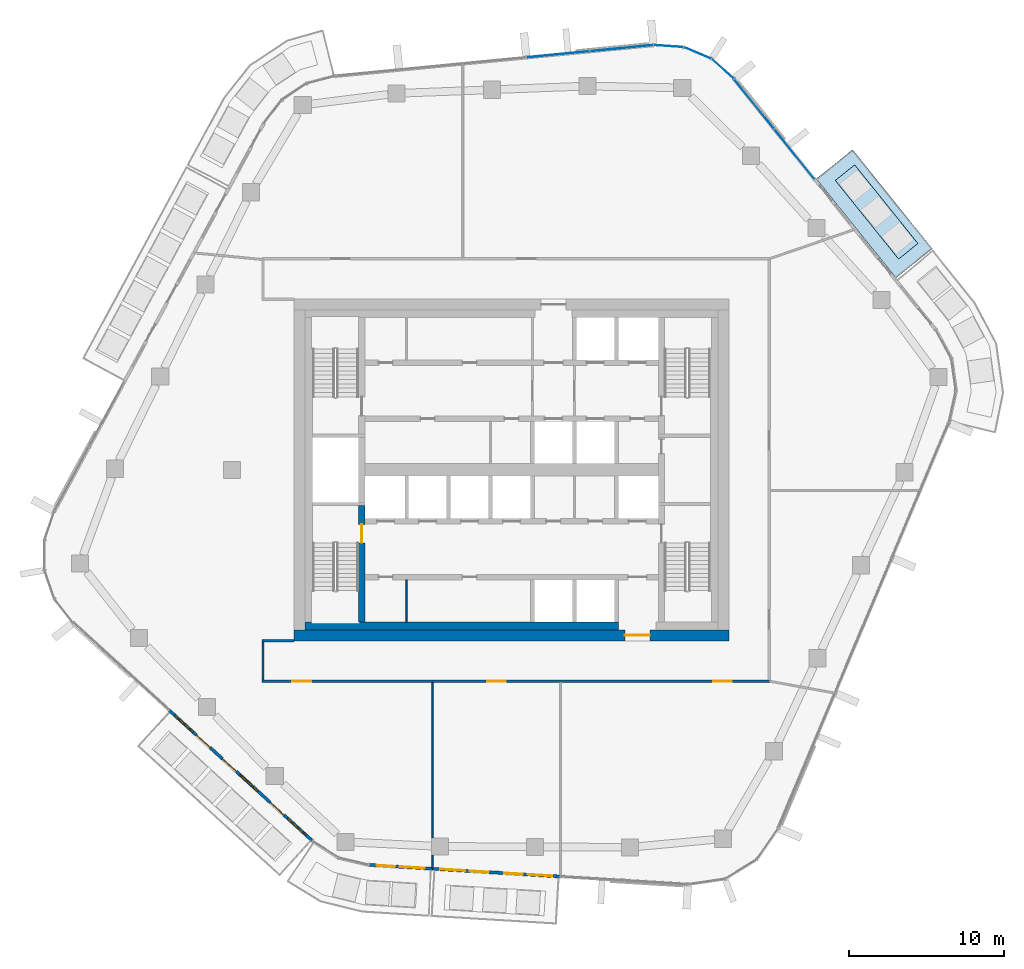
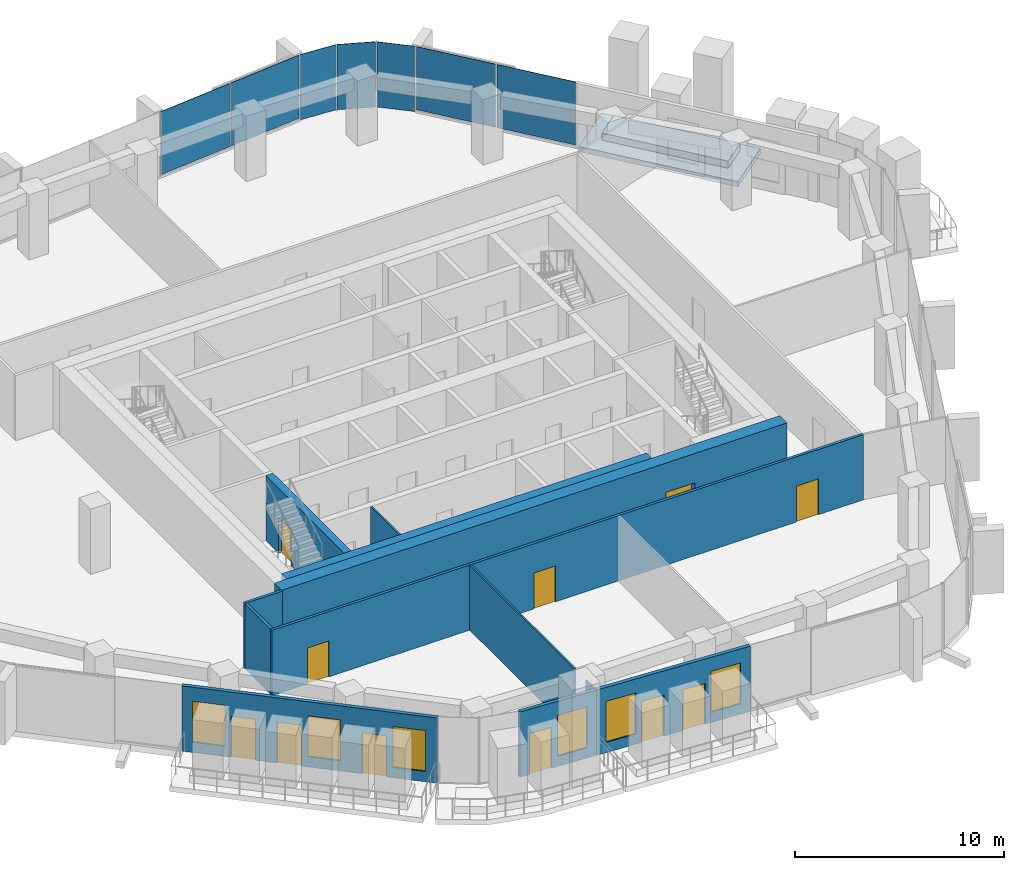
# One storey, part 11 of 20: 12 walls, 11 doors, 7 plates, 6 windows, 2 slabs, 17 openings, 3 elements without a shape of their own.
"""IFC4 building model written with IfcOpenShell, lengths in metres."""

import ifcopenshell
import ifcopenshell.guid

model = None  # the IFC model being written
_history = None  # IfcOwnerHistory: only IFC2X3 demands one
_inside = {}  # id of a spatial element -> (the spatial element, [elements in it])
_under = {}  # id of a project, library or spatial element -> (it, [spatial elements below it])
_declared = {}  # id of a project -> (the project, [libraries it declares])
_typed = {}  # id of a type object -> (the type object, [elements of that type])
_made_of = {}  # id of a material, layer set ... -> (it, [elements and type objects made of it])


def new_model(schema):
    """Start an empty IFC model of exactly this schema.

    Asked for "IFC4X3", IfcOpenShell would pick the latest addendum, in which some entities
    have other attributes; the version numbers below select the first issue.
    IFC2X3 requires an IfcOwnerHistory on every rooted entity: one is made here for all.
    """
    global model, _history
    if schema == "IFC4X3":
        model = ifcopenshell.file(schema_version=(4, 3, 0, 0))
    else:
        model = ifcopenshell.file(schema=schema)
    _inside.clear()
    _under.clear()
    _declared.clear()
    _typed.clear()
    _made_of.clear()
    _history = None
    if model.schema == "IFC2X3":
        org = make("IfcOrganization", Name="unknown")
        user = make(
            "IfcPersonAndOrganization",
            ThePerson=make("IfcPerson", FamilyName="unknown"),
            TheOrganization=org,
        )
        app = make(
            "IfcApplication",
            ApplicationDeveloper=org,
            Version="unknown",
            ApplicationFullName="unknown",
            ApplicationIdentifier="unknown",
        )
        _history = make(
            "IfcOwnerHistory",
            OwningUser=user,
            OwningApplication=app,
            ChangeAction="ADDED",
            CreationDate=0,
        )
    return model


def make(cls, **values):
    """One entity of the class cls with the attributes given. An attribute that is None is left unset."""
    return model.create_entity(
        cls, **{name: value for name, value in values.items() if value is not None}
    )


def rooted(cls, **values):
    """An entity with a GlobalId (a new one), such as an element, a storey or a relation."""
    return make(cls, GlobalId=ifcopenshell.guid.new(), OwnerHistory=_history, **values)


def si_unit(unit_type, name, prefix=None):
    """IfcSIUnit, for example si_unit("LENGTHUNIT", "METRE", prefix="MILLI")."""
    return make("IfcSIUnit", UnitType=unit_type, Prefix=prefix, Name=name)


def assignment(units):
    """IfcUnitAssignment: the units of a project."""
    return None if units is None else make("IfcUnitAssignment", Units=units)


def point(xyz):
    """IfcCartesianPoint."""
    return None if xyz is None else make("IfcCartesianPoint", Coordinates=xyz)


def direction(xyz):
    """IfcDirection."""
    return None if xyz is None else make("IfcDirection", DirectionRatios=xyz)


def frame(location, z_axis=None, x_axis=None):
    """IfcAxis2Placement3D, a coordinate frame: its origin and axes. An axis left out is left unset."""
    return make(
        "IfcAxis2Placement3D",
        Location=point(location),
        Axis=direction(z_axis),
        RefDirection=direction(x_axis),
    )


def frame_2d(location, x_axis=None):
    """IfcAxis2Placement2D, a coordinate frame in the plane: its origin and x axis."""
    return make(
        "IfcAxis2Placement2D", Location=point(location), RefDirection=direction(x_axis)
    )


def origin():
    """The frame at (0, 0, 0) with its axes left unset."""
    return frame((0.0, 0.0, 0.0))


def origin_2d():
    """The frame at (0, 0) in the plane with its x axis left unset."""
    return frame_2d((0.0, 0.0))


def place(relative_to, where):
    """IfcLocalPlacement: puts the frame where relative to a parent placement (None: the world)."""
    return make(
        "IfcLocalPlacement", PlacementRelTo=relative_to, RelativePlacement=where
    )


def context(
    kind, dimensions, precision=None, world=None, true_north=None, identifier=None
):
    """IfcGeometricRepresentationContext, for example the 3D "Model" context."""
    return make(
        "IfcGeometricRepresentationContext",
        ContextIdentifier=identifier,
        ContextType=kind,
        CoordinateSpaceDimension=dimensions,
        Precision=precision,
        WorldCoordinateSystem=world,
        TrueNorth=true_north,
    )


def subcontext(parent, identifier, kind, view, scale=None):
    """IfcGeometricRepresentationSubContext, for example "Body" below "Model"."""
    return make(
        "IfcGeometricRepresentationSubContext",
        ContextIdentifier=identifier,
        ContextType=kind,
        ParentContext=parent,
        TargetScale=scale,
        TargetView=view,
    )


def project(units=None, contexts=None):
    """IfcProject with its units and contexts."""
    return rooted(
        "IfcProject",
        Name="project",
        RepresentationContexts=contexts,
        UnitsInContext=assignment(units),
    )


def spatial(cls, under=None, at=None, **own):
    """A site, building, storey or space (cls), placed at a placement, below another one or the project."""
    s = rooted(cls, ObjectPlacement=at, **own)
    if under is not None:
        _under.setdefault(under.id(), (under, []))[1].append(s)
    return s


def polyline(points):
    """IfcPolyline through the points."""
    return make("IfcPolyline", Points=[point(p) for p in points])


def profile(cls, at=None, kind="AREA", **sizes):
    """A parametric profile (cls). Its sizes go by their IFC names, for example OverallWidth=200.0."""
    return make(cls, ProfileType=kind, Position=at, **sizes)


def rectangle(**sizes):
    """IfcRectangleProfileDef."""
    return profile("IfcRectangleProfileDef", **sizes)


def outline(outer, holes=None, kind="AREA"):
    """IfcArbitraryClosedProfileDef: a profile drawn as a closed curve; with holes, ...WithVoids."""
    if holes is None:
        return make("IfcArbitraryClosedProfileDef", ProfileType=kind, OuterCurve=outer)
    return make(
        "IfcArbitraryProfileDefWithVoids",
        ProfileType=kind,
        OuterCurve=outer,
        InnerCurves=holes,
    )


def extrude(swept, where, along, depth):
    """IfcExtrudedAreaSolid: the profile swept, set in the frame where, extruded along a direction by depth."""
    return make(
        "IfcExtrudedAreaSolid",
        SweptArea=swept,
        Position=where,
        ExtrudedDirection=direction(along),
        Depth=depth,
    )


def shape(context_of_items, identifier, shape_type, items):
    """IfcShapeRepresentation: the items that make up one representation, for example the "Body"."""
    return make(
        "IfcShapeRepresentation",
        ContextOfItems=context_of_items,
        RepresentationIdentifier=identifier,
        RepresentationType=shape_type,
        Items=items,
    )


def material(Name=None, Category=None):
    """IfcMaterial."""
    return make("IfcMaterial", Name=Name, Category=Category)


def layer(
    of_material, thickness, ventilated=None, Name=None, Category=None, Priority=None
):
    """IfcMaterialLayer: one layer of a wall or slab, of a material (None: an air gap)."""
    return make(
        "IfcMaterialLayer",
        Material=of_material,
        LayerThickness=thickness,
        IsVentilated=ventilated,
        Name=Name,
        Category=Category,
        Priority=Priority,
    )


def layer_set(layers, Name=None):
    """IfcMaterialLayerSet."""
    return make("IfcMaterialLayerSet", MaterialLayers=layers, LayerSetName=Name)


def made_of(thing, what):
    """Note that an element or type object is made of a material, layer set ...; save() writes the relation."""
    if what is not None:
        _made_of.setdefault(what.id(), (what, []))[1].append(thing)
    return thing


def type_object(cls, material=None, **own):
    """A type object (cls), such as IfcWallType, which elements share."""
    return made_of(rooted(cls, **own), material)


def element(
    cls,
    number,
    at=None,
    inside=None,
    cuts=None,
    type_object=None,
    material=None,
    context=None,
    identifier="Body",
    shape_type=None,
    held_by="IfcProductDefinitionShape",
    body=None,
    shapes=None,
    **own,
):
    """One element of the class cls, such as IfcWall. Its Tag is "e" and its number.

    at: its placement. inside: the storey or other place that contains it. cuts: it is an
    opening in that element (IfcRelVoidsElement). A single representation is given by context,
    identifier, shape_type and body (its items); several are given by shapes. held_by: the class
    of the entity that holds the representations. save() writes the other relations.
    """
    e = rooted(cls, Tag="e%d" % number, ObjectPlacement=at, **own)
    if body is not None:
        shapes = [shape(context, identifier, shape_type, body)]
    if shapes is not None:
        e.Representation = make(held_by, Representations=shapes)
    if inside is not None:
        _inside.setdefault(inside.id(), (inside, []))[1].append(e)
    if cuts is not None:
        rooted(
            "IfcRelVoidsElement", RelatingBuildingElement=cuts, RelatedOpeningElement=e
        )
    if type_object is not None:
        _typed.setdefault(type_object.id(), (type_object, []))[1].append(e)
    return made_of(e, material)


def fill(opening, filler):
    """IfcRelFillsElement: the door or window that sits in an opening."""
    return rooted(
        "IfcRelFillsElement",
        RelatingOpeningElement=opening,
        RelatedBuildingElement=filler,
    )


def aggregate(whole, parts):
    """IfcRelAggregates: a whole, such as a stair, and the parts it consists of."""
    return rooted("IfcRelAggregates", RelatingObject=whole, RelatedObjects=parts)


def save(model, path):
    """Write the relations noted so far, then the file.

    IfcRelAggregates (storeys below a building ...), IfcRelContainedInSpatialStructure (elements
    in a storey), IfcRelDefinesByType, IfcRelAssociatesMaterial and IfcRelDeclares: one each for
    every whole, place, type object, material and project.
    """
    for whole, parts in _under.values():
        aggregate(whole, parts)
    for where, things in _inside.values():
        rooted(
            "IfcRelContainedInSpatialStructure",
            RelatedElements=things,
            RelatingStructure=where,
        )
    for kind, things in _typed.values():
        rooted("IfcRelDefinesByType", RelatedObjects=things, RelatingType=kind)
    for what, things in _made_of.values():
        rooted("IfcRelAssociatesMaterial", RelatedObjects=things, RelatingMaterial=what)
    for by, libraries in _declared.values():
        rooted("IfcRelDeclares", RelatingContext=by, RelatedDefinitions=libraries)
    model.write(path)


model = new_model("IFC4")

# Units and contexts
model_context = context("Model", 3, precision=1e-05, world=origin(), true_north=direction((0.0, 1.0)))
body_context = subcontext(model_context, "Body", "Model", "MODEL_VIEW")
ifc_project = project(units=[si_unit("LENGTHUNIT", "METRE"), si_unit("AREAUNIT", "SQUARE_METRE"), si_unit("VOLUMEUNIT", "CUBIC_METRE"), si_unit("PLANEANGLEUNIT", "RADIAN"), si_unit("MASSUNIT", "GRAM", prefix="KILO")], contexts=[model_context])

# Site, building, storey
site_placement = place(None, origin())
site = spatial("IfcSite", under=ifc_project, at=site_placement, CompositionType="ELEMENT")
building_placement = place(site_placement, origin())
building = spatial("IfcBuilding", under=site, at=building_placement, Name="Dongbaek Canopy Tower", CompositionType="ELEMENT")
storey_placement = place(building_placement, frame((0.0, 0.0, 262.199951171875)))
storey = spatial("IfcBuildingStorey", under=building, at=storey_placement, Name="L55", CompositionType="ELEMENT", Elevation=262.199951171875)

# Slab
ifc_material_1 = material(Name="Concrete C40/50", Category="concrete")
ifc_layer_1 = layer(ifc_material_1, 0.300048828125)
ifc_layer_set_1 = layer_set([ifc_layer_1], Name="Balcony slab 300")
slab_type_1 = type_object("IfcSlabType", Name="Balcony slab 300", PredefinedType="FLOOR", material=ifc_layer_set_1)
slab_1_placement = place(storey_placement, frame((0.0, 0.0, -0.300048828125)))
element("IfcSlab", 1, at=slab_1_placement, inside=storey, type_object=slab_type_1, Name="Balcony L55 1", PredefinedType="FLOOR", context=body_context, shape_type="SweptSolid", body=[
    extrude(outline(polyline([(24.758544921875, 12.35693359375), (19.622314453125, 18.74072265625), (21.959716796875, 20.621337890625), (27.095947265625, 14.237548828125), (24.758544921875, 12.35693359375)])), origin(), (0.0, 0.0, 1.0), 0.300048828125),
])

# Curtain wall, plates
ifc_material_2 = material(Name="Aluminium 6063-T6 pale anodised", Category="aluminium")
ifc_layer_2 = layer(ifc_material_2, 0.199951171875)
ifc_layer_set_2 = layer_set([ifc_layer_2], Name="CW-1 unitised tower curtain wall")
curtain_wall_type = type_object("IfcCurtainWallType", Name="CW-1 unitised tower curtain wall", PredefinedType="NOTDEFINED", material=ifc_layer_set_2)
curtain_wall_1_placement = place(storey_placement, origin())
curtain_wall_1 = element("IfcCurtainWall", 2, at=curtain_wall_1_placement, inside=storey, type_object=curtain_wall_type, Name="CW-1 curtain wall F0.1", PredefinedType="NOTDEFINED")
ifc_material_3 = material(Name="Clear laminated glass", Category="glass")
ifc_layer_3 = layer(ifc_material_3, 0.028076171875)
ifc_layer_set_3 = layer_set([ifc_layer_3], Name="CW-1 glazed panel 28")
plate_type = type_object("IfcPlateType", Name="CW-1 glazed panel 28", PredefinedType="CURTAIN_PANEL", material=ifc_layer_set_3)
plate_1_placement = place(storey_placement, frame((18.21337890625, 20.33251953125, 0.1201171875), z_axis=(0.0, 0.0, 1.0), x_axis=(-0.626866846096, 0.779126406475, 0.0)))
plate_1 = element("IfcPlate", 3, at=plate_1_placement, type_object=plate_type, Name="CW-1 panel F0.1.1.1", PredefinedType="CURTAIN_PANEL", context=body_context, shape_type="SweptSolid", body=[
    extrude(rectangle(XDim=4.062744140625, YDim=0.028076171875, at=origin_2d()), origin(), (0.0, 0.0, 1.0), 3.699951171875),
])
plate_2_placement = place(storey_placement, frame((15.616455078125, 23.560302734375, 0.1201171875), z_axis=(0.0, 0.0, 1.0), x_axis=(-0.626866846096, 0.779126406475, 0.0)))
plate_2 = element("IfcPlate", 4, at=plate_2_placement, type_object=plate_type, Name="CW-1 panel F0.1.2.1", PredefinedType="CURTAIN_PANEL", context=body_context, shape_type="SweptSolid", body=[
    extrude(rectangle(XDim=4.054443359375, YDim=0.028076171875, at=origin_2d()), origin(), (0.0, 0.0, 1.0), 3.699951171875),
])
aggregate(curtain_wall_1, [plate_1, plate_2])

curtain_wall_2_placement = place(storey_placement, origin())
curtain_wall_2 = element("IfcCurtainWall", 5, at=curtain_wall_2_placement, inside=storey, type_object=curtain_wall_type, Name="CW-1 curtain wall K1.1", PredefinedType="NOTDEFINED")
plate_3_placement = place(storey_placement, frame((13.593017578125, 25.820068359375, 0.0), z_axis=(0.0, 0.0, 1.0), x_axis=(-0.746318212559, 0.665589307007, 0.0)))
plate_3 = element("IfcPlate", 6, at=plate_3_placement, type_object=plate_type, Name="CW-1 panel K1.1.1.1", PredefinedType="CURTAIN_PANEL", context=body_context, shape_type="SweptSolid", body=[
    extrude(rectangle(XDim=1.862060546875, YDim=0.028076171875, at=origin_2d()), origin(), (0.0, 0.0, 1.0), 3.820068359375),
])
plate_4_placement = place(storey_placement, frame((11.973876953125, 26.843505859375, 0.0), z_axis=(0.0, 0.0, 1.0), x_axis=(-0.921718789769, 0.387858830745, 0.0)))
plate_4 = element("IfcPlate", 7, at=plate_4_placement, type_object=plate_type, Name="CW-1 panel K1.1.2.1", PredefinedType="CURTAIN_PANEL", context=body_context, shape_type="SweptSolid", body=[
    extrude(rectangle(XDim=1.853515625, YDim=0.028076171875, at=origin_2d()), origin(), (0.0, 0.0, 1.0), 3.820068359375),
])
plate_5_placement = place(storey_placement, frame((10.1103515625, 27.28564453125, 0.0), z_axis=(0.0, 0.0, 1.0), x_axis=(-0.997666296748, 0.06827854959, 0.0)))
plate_5 = element("IfcPlate", 8, at=plate_5_placement, type_object=plate_type, Name="CW-1 panel K1.1.3.1", PredefinedType="CURTAIN_PANEL", context=body_context, shape_type="SweptSolid", body=[
    extrude(rectangle(XDim=1.862060546875, YDim=0.028076171875, at=origin_2d()), origin(), (0.0, 0.0, 1.0), 3.820068359375),
])
aggregate(curtain_wall_2, [plate_3, plate_4, plate_5])

curtain_wall_3_placement = place(storey_placement, origin())
curtain_wall_3 = element("IfcCurtainWall", 9, at=curtain_wall_3_placement, inside=storey, type_object=curtain_wall_type, Name="CW-1 curtain wall F1.1", PredefinedType="NOTDEFINED")
plate_6_placement = place(storey_placement, frame((7.095458984375, 27.15380859375, 0.1201171875), z_axis=(0.0, 0.0, 1.0), x_axis=(-0.995332430055, -0.096505718384, 0.0)))
plate_6 = element("IfcPlate", 10, at=plate_6_placement, type_object=plate_type, Name="CW-1 panel F1.1.1.1", PredefinedType="CURTAIN_PANEL", context=body_context, shape_type="SweptSolid", body=[
    extrude(rectangle(XDim=4.023193359375, YDim=0.028076171875, at=origin_2d()), origin(), (0.0, 0.0, 1.0), 3.699951171875),
])
plate_7_placement = place(storey_placement, frame((3.003173828125, 26.757080078125, 0.1201171875), z_axis=(0.0, 0.0, 1.0), x_axis=(-0.995332430055, -0.096505718384, 0.0)))
plate_7 = element("IfcPlate", 11, at=plate_7_placement, type_object=plate_type, Name="CW-1 panel F1.1.2.1", PredefinedType="CURTAIN_PANEL", context=body_context, shape_type="SweptSolid", body=[
    extrude(rectangle(XDim=4.031494140625, YDim=0.028076171875, at=origin_2d()), origin(), (0.0, 0.0, 1.0), 3.699951171875),
])
aggregate(curtain_wall_3, [plate_6, plate_7])

# Slab
ifc_material_4 = material(Name="Reinforced concrete C40/50 planter box with soil", Category="concrete")
ifc_layer_4 = layer(ifc_material_4, 0.419921875)
ifc_layer_set_4 = layer_set([ifc_layer_4], Name="Terrace planter box 1600 x 420")
slab_type_2 = type_object("IfcSlabType", Name="Terrace planter box 1600 x 420", PredefinedType="USERDEFINED", material=ifc_layer_set_4)
slab_2_placement = place(storey_placement, origin())
element("IfcSlab", 12, at=slab_2_placement, inside=storey, type_object=slab_type_2, Name="Balcony planter L55 1", ObjectType="PLANTER", PredefinedType="USERDEFINED", context=body_context, shape_type="SweptSolid", body=[
    extrude(outline(polyline([(24.919189453125, 13.5771484375), (20.8486328125, 18.636474609375), (22.09521484375, 19.639404296875), (26.165771484375, 14.580078125), (24.919189453125, 13.5771484375)])), origin(), (0.0, 0.0, 1.0), 0.420166015625),
])

# Wall, opening, door
ifc_material_5 = material(Name="Concrete C70/85", Category="concrete")
ifc_layer_5 = layer(ifc_material_5, 0.699951171875)
ifc_layer_set_5 = layer_set([ifc_layer_5], Name="Core outer wall 700 Concrete C70/85")
wall_type_1 = type_object("IfcWallType", Name="Core outer wall 700 Concrete C70/85", PredefinedType="SHEAR", material=ifc_layer_set_5)
wall_1_placement = place(storey_placement, frame((14.0, -10.64990234375, 0.0), z_axis=(0.0, 0.0, 1.0), x_axis=(-1.0, 0.0, 0.0)))
wall_1 = element("IfcWall", 13, at=wall_1_placement, inside=storey, type_object=wall_type_1, Name="Core wall", PredefinedType="SHEAR", context=body_context, shape_type="SweptSolid", body=[
    extrude(rectangle(XDim=28.0, YDim=0.699951171875, at=frame_2d((14.0, 0.0))), origin(), (0.0, 0.0, 1.0), 3.820068359375),
])
opening_1_placement = place(wall_1_placement, frame((5.10009765625, 0.0, 0.0)))
opening_1 = element("IfcOpeningElement", 14, at=opening_1_placement, cuts=wall_1, Name="Opening L55-D021", PredefinedType="OPENING", context=body_context, shape_type="SweptSolid", body=[
    extrude(rectangle(XDim=1.60009765625, YDim=2.10009765625, at=frame_2d((0.800048828125, 1.050048828125))), frame((0.0, 0.35986328125, 0.0), z_axis=(0.0, -1.0, 0.0), x_axis=(1.0, 0.0, 0.0)), (0.0, 0.0, 1.0), 0.719970703125),
])
ifc_material_6 = material(Name="Steel", Category="steel")
door_type_1 = type_object("IfcDoorType", Name="Core exit door 1600 x 2100", OperationType="DOUBLE_DOOR_SINGLE_SWING", PredefinedType="DOOR", material=ifc_material_6)
door_1_placement = place(opening_1_placement, origin())
door_1 = element("IfcDoor", 15, at=door_1_placement, inside=storey, type_object=door_type_1, Name="Core exit door", OperationType="DOUBLE_DOOR_SINGLE_SWING", OverallHeight=2.10009765625, OverallWidth=1.60009765625, PredefinedType="DOOR", context=body_context, shape_type="SweptSolid", body=[
    extrude(rectangle(XDim=1.60009765625, YDim=2.10009765625, at=frame_2d((0.800048828125, 1.050048828125))), frame((0.0, 0.02490234375, 0.0), z_axis=(0.0, -1.0, 0.0), x_axis=(1.0, 0.0, 0.0)), (0.0, 0.0, 1.0), 0.050048828125),
])
fill(opening_1, door_1)

# Wall
ifc_material_7 = material(Name="Concrete C60/75", Category="concrete")
ifc_layer_6 = layer(ifc_material_7, 0.5)
ifc_layer_set_6 = layer_set([ifc_layer_6], Name="Core wall lining 500 Concrete C60/75")
wall_type_2 = type_object("IfcWallType", Name="Core wall lining 500 Concrete C60/75", PredefinedType="SHEAR", material=ifc_layer_set_6)
wall_2_placement = place(storey_placement, frame((6.89990234375, -10.050048828125, 0.0), z_axis=(0.0, 0.0, 1.0), x_axis=(-1.0, 0.0, 0.0)))
element("IfcWall", 16, at=wall_2_placement, inside=storey, type_object=wall_type_2, Name="Core wall lining", PredefinedType="SHEAR", context=body_context, shape_type="SweptSolid", body=[
    extrude(rectangle(XDim=20.199951171875, YDim=0.5, at=frame_2d((10.10009765625, 0.0))), origin(), (0.0, 0.0, 1.0), 3.820068359375),
])

# Wall, openings, doors
ifc_material_8 = material(Name="Gypsum board partition, steel stud, 2 x 15 mm fire board", Category="steel")
ifc_layer_7 = layer(ifc_material_8, 0.14990234375)
ifc_layer_set_7 = layer_set([ifc_layer_7], Name="Fire-rated partition 150 gypsum board")
wall_type_3 = type_object("IfcWallType", Name="Fire-rated partition 150 gypsum board", PredefinedType="PARTITIONING", material=ifc_layer_set_7)
wall_3_placement = place(storey_placement, frame((16.675048828125, -13.60009765625, 0.0), z_axis=(0.0, 0.0, 1.0), x_axis=(-1.0, 0.0, 0.0)))
wall_3 = element("IfcWall", 17, at=wall_3_placement, inside=storey, type_object=wall_type_3, Name="Corridor partition", PredefinedType="PARTITIONING", context=body_context, shape_type="SweptSolid", body=[
    extrude(rectangle(XDim=32.75, YDim=0.14990234375, at=frame_2d((16.375, 0.0))), origin(), (0.0, 0.0, 1.0), 3.820068359375),
])
opening_2_placement = place(wall_3_placement, frame((29.586669921875, 0.0, 0.0)))
opening_2 = element("IfcOpeningElement", 18, at=opening_2_placement, cuts=wall_3, Name="Opening L55-D001", PredefinedType="OPENING", context=body_context, shape_type="SweptSolid", body=[
    extrude(rectangle(XDim=1.199951171875, YDim=2.10009765625, at=frame_2d((0.60009765625, 1.050048828125))), frame((0.0, 0.0849609375, 0.0), z_axis=(0.0, -1.0, 0.0), x_axis=(1.0, 0.0, 0.0)), (0.0, 0.0, 1.0), 0.169921875),
])
opening_3_placement = place(wall_3_placement, frame((17.0400390625, 0.0, 0.0)))
opening_3 = element("IfcOpeningElement", 19, at=opening_3_placement, cuts=wall_3, Name="Opening L55-D002", PredefinedType="OPENING", context=body_context, shape_type="SweptSolid", body=[
    extrude(rectangle(XDim=1.199951171875, YDim=2.10009765625, at=frame_2d((0.60009765625, 1.050048828125))), frame((0.0, 0.0849609375, 0.0), z_axis=(0.0, -1.0, 0.0), x_axis=(1.0, 0.0, 0.0)), (0.0, 0.0, 1.0), 0.169921875),
])
opening_4_placement = place(wall_3_placement, frame((2.494873046875, 0.0, 0.0)))
opening_4 = element("IfcOpeningElement", 20, at=opening_4_placement, cuts=wall_3, Name="Opening L55-D003", PredefinedType="OPENING", context=body_context, shape_type="SweptSolid", body=[
    extrude(rectangle(XDim=1.199951171875, YDim=2.10009765625, at=frame_2d((0.60009765625, 1.050048828125))), frame((0.0, 0.0849609375, 0.0), z_axis=(0.0, -1.0, 0.0), x_axis=(1.0, 0.0, 0.0)), (0.0, 0.0, 1.0), 0.169921875),
])
ifc_material_9 = material(Name="Timber veneered door leaf", Category="wood")
door_type_2 = type_object("IfcDoorType", Name="Room door 1200 x 2100", OperationType="SINGLE_SWING_LEFT", PredefinedType="DOOR", material=ifc_material_9)
door_2_placement = place(opening_2_placement, origin())
door_2 = element("IfcDoor", 21, at=door_2_placement, inside=storey, type_object=door_type_2, Name="Door L55-D001", OperationType="SINGLE_SWING_RIGHT", OverallHeight=2.10009765625, OverallWidth=1.199951171875, PredefinedType="DOOR", context=body_context, shape_type="SweptSolid", body=[
    extrude(rectangle(XDim=1.199951171875, YDim=2.10009765625, at=frame_2d((0.60009765625, 1.050048828125))), frame((0.0, 0.02490234375, 0.0), z_axis=(0.0, -1.0, 0.0), x_axis=(1.0, 0.0, 0.0)), (0.0, 0.0, 1.0), 0.050048828125),
])
fill(opening_2, door_2)
door_3_placement = place(opening_3_placement, origin())
door_3 = element("IfcDoor", 22, at=door_3_placement, inside=storey, type_object=door_type_2, Name="Door L55-D002", OperationType="SINGLE_SWING_LEFT", OverallHeight=2.10009765625, OverallWidth=1.199951171875, PredefinedType="DOOR", context=body_context, shape_type="SweptSolid", body=[
    extrude(rectangle(XDim=1.199951171875, YDim=2.10009765625, at=frame_2d((0.60009765625, 1.050048828125))), frame((0.0, 0.02490234375, 0.0), z_axis=(0.0, -1.0, 0.0), x_axis=(1.0, 0.0, 0.0)), (0.0, 0.0, 1.0), 0.050048828125),
])
fill(opening_3, door_3)
door_4_placement = place(opening_4_placement, origin())
door_4 = element("IfcDoor", 23, at=door_4_placement, inside=storey, type_object=door_type_2, Name="Door L55-D003", OperationType="SINGLE_SWING_RIGHT", OverallHeight=2.10009765625, OverallWidth=1.199951171875, PredefinedType="DOOR", context=body_context, shape_type="SweptSolid", body=[
    extrude(rectangle(XDim=1.199951171875, YDim=2.10009765625, at=frame_2d((0.60009765625, 1.050048828125))), frame((0.0, 0.02490234375, 0.0), z_axis=(0.0, -1.0, 0.0), x_axis=(1.0, 0.0, 0.0)), (0.0, 0.0, 1.0), 0.050048828125),
])
fill(opening_4, door_4)

# Walls
wall_4_placement = place(storey_placement, frame((-16.074951171875, -10.9970703125, 0.0), z_axis=(0.0, 0.0, 1.0), x_axis=(1.0, 0.0, 0.0)))
element("IfcWall", 24, at=wall_4_placement, inside=storey, type_object=wall_type_3, Name="Corridor partition", PredefinedType="PARTITIONING", context=body_context, shape_type="SweptSolid", body=[
    extrude(rectangle(XDim=2.074951171875, YDim=0.14990234375, at=frame_2d((1.03759765625, 0.0))), origin(), (0.0, 0.0, 1.0), 3.820068359375),
])
wall_5_placement = place(storey_placement, frame((-16.0, -13.52490234375, 0.0), z_axis=(0.0, 0.0, 1.0), x_axis=(0.0, 1.0, 0.0)))
element("IfcWall", 25, at=wall_5_placement, inside=storey, type_object=wall_type_3, Name="Corridor partition", PredefinedType="PARTITIONING", context=body_context, shape_type="SweptSolid", body=[
    extrude(rectangle(XDim=2.452880859375, YDim=0.14990234375, at=frame_2d((1.2265625, 0.0))), origin(), (0.0, 0.0, 1.0), 3.820068359375),
])
ifc_material_10 = material(Name="Gypsum board partition, steel stud, 2 x 12.5 mm board", Category="steel")
ifc_layer_8 = layer(ifc_material_10, 0.10009765625)
ifc_layer_set_8 = layer_set([ifc_layer_8], Name="Partition 100 gypsum board")
wall_type_4 = type_object("IfcWallType", Name="Partition 100 gypsum board", PredefinedType="PARTITIONING", material=ifc_layer_set_8)
wall_6_placement = place(storey_placement, frame((-5.076904296875, -25.66015625, 0.0), z_axis=(0.0, 0.0, 1.0), x_axis=(0.0, 1.0, 0.0)))
element("IfcWall", 26, at=wall_6_placement, inside=storey, type_object=wall_type_4, Name="Partition", PredefinedType="PARTITIONING", context=body_context, shape_type="SweptSolid", body=[
    extrude(rectangle(XDim=0.8642578125, YDim=0.10009765625, at=frame_2d((0.43212890625, 0.0))), origin(), (0.0, 0.0, 1.0), 3.820068359375),
])
wall_7_placement = place(storey_placement, frame((-5.076904296875, -23.696044921875, 0.0), z_axis=(0.0, 0.0, 1.0), x_axis=(0.0, 1.0, 0.0)))
element("IfcWall", 27, at=wall_7_placement, inside=storey, type_object=wall_type_4, Name="Partition", PredefinedType="PARTITIONING", context=body_context, shape_type="SweptSolid", body=[
    extrude(rectangle(XDim=10.02099609375, YDim=0.10009765625, at=frame_2d((5.010498046875, 0.0))), origin(), (0.0, 0.0, 1.0), 3.820068359375),
])
wall_8_placement = place(storey_placement, frame((-6.75, -9.800048828125, 0.0), z_axis=(0.0, 0.0, 1.0), x_axis=(0.0, 1.0, 0.0)))
element("IfcWall", 28, at=wall_8_placement, inside=storey, type_object=wall_type_4, Name="Core partition", PredefinedType="PARTITIONING", context=body_context, shape_type="SweptSolid", body=[
    extrude(rectangle(XDim=2.72509765625, YDim=0.10009765625, at=frame_2d((1.362548828125, 0.0))), origin(), (0.0, 0.0, 1.0), 3.820068359375),
])

# Wall, opening, door
ifc_material_11 = material(Name="Concrete C60/75", Category="concrete")
ifc_layer_9 = layer(ifc_material_11, 0.39990234375)
ifc_layer_set_9 = layer_set([ifc_layer_9], Name="Stair wall 400 Concrete C60/75")
wall_type_5 = type_object("IfcWallType", Name="Stair wall 400 Concrete C60/75", PredefinedType="SHEAR", material=ifc_layer_set_9)
wall_9_placement = place(storey_placement, frame((-9.64990234375, -9.800048828125, 0.0), z_axis=(0.0, 0.0, 1.0), x_axis=(0.0, 1.0, 0.0)))
wall_9 = element("IfcWall", 29, at=wall_9_placement, inside=storey, type_object=wall_type_5, Name="Stair wall", PredefinedType="SHEAR", context=body_context, shape_type="SweptSolid", body=[
    extrude(rectangle(XDim=7.5, YDim=0.39990234375, at=frame_2d((3.75, 0.0))), origin(), (0.0, 0.0, 1.0), 3.820068359375),
])
opening_5_placement = place(wall_9_placement, frame((5.10009765625, 0.0, 0.0)))
opening_5 = element("IfcOpeningElement", 30, at=opening_5_placement, cuts=wall_9, Name="Opening L55-D034", PredefinedType="OPENING", context=body_context, shape_type="SweptSolid", body=[
    extrude(rectangle(XDim=1.199951171875, YDim=2.10009765625, at=frame_2d((0.60009765625, 1.050048828125))), frame((0.0, 0.2099609375, 0.0), z_axis=(0.0, -1.0, 0.0), x_axis=(1.0, 0.0, 0.0)), (0.0, 0.0, 1.0), 0.419921875),
])
ifc_material_12 = material(Name="Steel", Category="steel")
door_type_3 = type_object("IfcDoorType", Name="Stair door 1200 x 2100", OperationType="SINGLE_SWING_LEFT", PredefinedType="DOOR", material=ifc_material_12)
door_5_placement = place(opening_5_placement, origin())
door_5 = element("IfcDoor", 31, at=door_5_placement, inside=storey, type_object=door_type_3, Name="Stair D door", OperationType="SINGLE_SWING_LEFT", OverallHeight=2.10009765625, OverallWidth=1.199951171875, PredefinedType="DOOR", context=body_context, shape_type="SweptSolid", body=[
    extrude(rectangle(XDim=1.199951171875, YDim=2.10009765625, at=frame_2d((0.60009765625, 1.050048828125))), frame((0.0, 0.02490234375, 0.0), z_axis=(0.0, -1.0, 0.0), x_axis=(1.0, 0.0, 0.0)), (0.0, 0.0, 1.0), 0.050048828125),
])
fill(opening_5, door_5)

# Wall, openings, doors, windows
ifc_material_13 = material(Name="Aluminium window wall", Category="aluminium")
ifc_layer_10 = layer(ifc_material_13, 0.199951171875)
ifc_layer_set_10 = layer_set([ifc_layer_10], Name="Window wall 200")
wall_type_6 = type_object("IfcWallType", Name="Window wall 200", PredefinedType="SOLIDWALL", material=ifc_layer_set_10)
wall_10_placement = place(storey_placement, frame((-22.058837890625, -15.46142578125, 0.0), z_axis=(0.0, 0.0, 1.0), x_axis=(0.738843559677, -0.673876987531, 0.0)))
wall_10 = element("IfcWall", 32, at=wall_10_placement, inside=storey, type_object=wall_type_6, Name="Window wall L55 3", PredefinedType="SOLIDWALL", context=body_context, shape_type="SweptSolid", body=[
    extrude(rectangle(XDim=12.513916015625, YDim=0.199951171875, at=frame_2d((6.2568359375, 0.0))), origin(), (0.0, 0.0, 1.0), 3.820068359375),
])
opening_6_placement = place(wall_10_placement, frame((0.5, 0.0, 0.60009765625)))
opening_6 = element("IfcOpeningElement", 33, at=opening_6_placement, cuts=wall_10, Name="Opening W1", PredefinedType="OPENING", context=body_context, shape_type="SweptSolid", body=[
    extrude(rectangle(XDim=1.60009765625, YDim=2.39990234375, at=frame_2d((0.800048828125, 1.199951171875))), frame((0.0, 0.10986328125, 0.0), z_axis=(0.0, -1.0, 0.0), x_axis=(1.0, 0.0, 0.0)), (0.0, 0.0, 1.0), 0.219970703125),
])
opening_7_placement = place(wall_10_placement, frame((2.39990234375, 0.0, 0.0)))
opening_7 = element("IfcOpeningElement", 34, at=opening_7_placement, cuts=wall_10, Name="Opening L55-B08", PredefinedType="OPENING", context=body_context, shape_type="SweptSolid", body=[
    extrude(rectangle(XDim=1.199951171875, YDim=2.39990234375, at=frame_2d((0.60009765625, 1.199951171875))), frame((0.0, 0.10986328125, 0.0), z_axis=(0.0, -1.0, 0.0), x_axis=(1.0, 0.0, 0.0)), (0.0, 0.0, 1.0), 0.219970703125),
])
opening_8_placement = place(wall_10_placement, frame((6.17138671875, 0.0, 0.60009765625)))
opening_8 = element("IfcOpeningElement", 35, at=opening_8_placement, cuts=wall_10, Name="Opening W1", PredefinedType="OPENING", context=body_context, shape_type="SweptSolid", body=[
    extrude(rectangle(XDim=1.60009765625, YDim=2.39990234375, at=frame_2d((0.800048828125, 1.199951171875))), frame((0.0, 0.10986328125, 0.0), z_axis=(0.0, -1.0, 0.0), x_axis=(1.0, 0.0, 0.0)), (0.0, 0.0, 1.0), 0.219970703125),
])
opening_9_placement = place(wall_10_placement, frame((4.67138671875, 0.0, 0.0)))
opening_9 = element("IfcOpeningElement", 36, at=opening_9_placement, cuts=wall_10, Name="Opening L55-B09", PredefinedType="OPENING", context=body_context, shape_type="SweptSolid", body=[
    extrude(rectangle(XDim=1.199951171875, YDim=2.39990234375, at=frame_2d((0.60009765625, 1.199951171875))), frame((0.0, 0.10986328125, 0.0), z_axis=(0.0, -1.0, 0.0), x_axis=(1.0, 0.0, 0.0)), (0.0, 0.0, 1.0), 0.219970703125),
])
opening_10_placement = place(wall_10_placement, frame((10.342529296875, 0.0, 0.60009765625)))
opening_10 = element("IfcOpeningElement", 37, at=opening_10_placement, cuts=wall_10, Name="Opening W1", PredefinedType="OPENING", context=body_context, shape_type="SweptSolid", body=[
    extrude(rectangle(XDim=1.60009765625, YDim=2.39990234375, at=frame_2d((0.800048828125, 1.199951171875))), frame((0.0, 0.10986328125, 0.0), z_axis=(0.0, -1.0, 0.0), x_axis=(1.0, 0.0, 0.0)), (0.0, 0.0, 1.0), 0.219970703125),
])
opening_11_placement = place(wall_10_placement, frame((8.842529296875, 0.0, 0.0)))
opening_11 = element("IfcOpeningElement", 38, at=opening_11_placement, cuts=wall_10, Name="Opening L55-B10", PredefinedType="OPENING", context=body_context, shape_type="SweptSolid", body=[
    extrude(rectangle(XDim=1.199951171875, YDim=2.39990234375, at=frame_2d((0.60009765625, 1.199951171875))), frame((0.0, 0.10986328125, 0.0), z_axis=(0.0, -1.0, 0.0), x_axis=(1.0, 0.0, 0.0)), (0.0, 0.0, 1.0), 0.219970703125),
])
ifc_material_14 = material(Name="Clear glazing in aluminium frame", Category="aluminium")
door_type_4 = type_object("IfcDoorType", Name="Balcony door BD1 1200 x 2400", OperationType="SLIDING_TO_LEFT", PredefinedType="DOOR", material=ifc_material_14)
door_6_placement = place(opening_7_placement, origin())
door_6 = element("IfcDoor", 39, at=door_6_placement, inside=storey, type_object=door_type_4, Name="Balcony door L55-B08", OperationType="SLIDING_TO_LEFT", OverallHeight=2.39990234375, OverallWidth=1.199951171875, PredefinedType="DOOR", context=body_context, shape_type="SweptSolid", body=[
    extrude(rectangle(XDim=1.199951171875, YDim=2.39990234375, at=frame_2d((0.60009765625, 1.199951171875))), frame((0.0, 0.02490234375, 0.0), z_axis=(0.0, -1.0, 0.0), x_axis=(1.0, 0.0, 0.0)), (0.0, 0.0, 1.0), 0.050048828125),
])
fill(opening_7, door_6)
door_7_placement = place(opening_9_placement, origin())
door_7 = element("IfcDoor", 40, at=door_7_placement, inside=storey, type_object=door_type_4, Name="Balcony door L55-B09", OperationType="SLIDING_TO_LEFT", OverallHeight=2.39990234375, OverallWidth=1.199951171875, PredefinedType="DOOR", context=body_context, shape_type="SweptSolid", body=[
    extrude(rectangle(XDim=1.199951171875, YDim=2.39990234375, at=frame_2d((0.60009765625, 1.199951171875))), frame((0.0, 0.02490234375, 0.0), z_axis=(0.0, -1.0, 0.0), x_axis=(1.0, 0.0, 0.0)), (0.0, 0.0, 1.0), 0.050048828125),
])
fill(opening_9, door_7)
door_8_placement = place(opening_11_placement, origin())
door_8 = element("IfcDoor", 41, at=door_8_placement, inside=storey, type_object=door_type_4, Name="Balcony door L55-B10", OperationType="SLIDING_TO_LEFT", OverallHeight=2.39990234375, OverallWidth=1.199951171875, PredefinedType="DOOR", context=body_context, shape_type="SweptSolid", body=[
    extrude(rectangle(XDim=1.199951171875, YDim=2.39990234375, at=frame_2d((0.60009765625, 1.199951171875))), frame((0.0, 0.02490234375, 0.0), z_axis=(0.0, -1.0, 0.0), x_axis=(1.0, 0.0, 0.0)), (0.0, 0.0, 1.0), 0.050048828125),
])
fill(opening_11, door_8)
ifc_material_15 = material(Name="Clear glazing in aluminium frame", Category="aluminium")
window_type = type_object("IfcWindowType", Name="Window W1 1600 x 2400", PartitioningType="SINGLE_PANEL", PredefinedType="WINDOW", material=ifc_material_15)
window_1_placement = place(opening_6_placement, origin())
window_1 = element("IfcWindow", 42, at=window_1_placement, inside=storey, type_object=window_type, Name="Window L55 3.1", OverallHeight=2.39990234375, OverallWidth=1.60009765625, PartitioningType="SINGLE_PANEL", PredefinedType="WINDOW", context=body_context, shape_type="SweptSolid", body=[
    extrude(rectangle(XDim=1.60009765625, YDim=2.39990234375, at=frame_2d((0.800048828125, 1.199951171875))), frame((0.0, 0.030029296875, 0.0), z_axis=(0.0, -1.0, 0.0), x_axis=(1.0, 0.0, 0.0)), (0.0, 0.0, 1.0), 0.06005859375),
])
fill(opening_6, window_1)
window_2_placement = place(opening_8_placement, origin())
window_2 = element("IfcWindow", 43, at=window_2_placement, inside=storey, type_object=window_type, Name="Window L55 3.2", OverallHeight=2.39990234375, OverallWidth=1.60009765625, PartitioningType="SINGLE_PANEL", PredefinedType="WINDOW", context=body_context, shape_type="SweptSolid", body=[
    extrude(rectangle(XDim=1.60009765625, YDim=2.39990234375, at=frame_2d((0.800048828125, 1.199951171875))), frame((0.0, 0.030029296875, 0.0), z_axis=(0.0, -1.0, 0.0), x_axis=(1.0, 0.0, 0.0)), (0.0, 0.0, 1.0), 0.06005859375),
])
fill(opening_8, window_2)
window_3_placement = place(opening_10_placement, origin())
window_3 = element("IfcWindow", 44, at=window_3_placement, inside=storey, type_object=window_type, Name="Window L55 3.3", OverallHeight=2.39990234375, OverallWidth=1.60009765625, PartitioningType="SINGLE_PANEL", PredefinedType="WINDOW", context=body_context, shape_type="SweptSolid", body=[
    extrude(rectangle(XDim=1.60009765625, YDim=2.39990234375, at=frame_2d((0.800048828125, 1.199951171875))), frame((0.0, 0.030029296875, 0.0), z_axis=(0.0, -1.0, 0.0), x_axis=(1.0, 0.0, 0.0)), (0.0, 0.0, 1.0), 0.06005859375),
])
fill(opening_10, window_3)

wall_11_placement = place(storey_placement, frame((-5.0771484375, -25.68017578125, 0.0), z_axis=(0.0, 0.0, 1.0), x_axis=(0.998153501879, -0.060741968084, 0.0)))
wall_11 = element("IfcWall", 45, at=wall_11_placement, inside=storey, type_object=wall_type_6, Name="Window wall L55 4", PredefinedType="SOLIDWALL", context=body_context, shape_type="SweptSolid", body=[
    extrude(rectangle(XDim=8.239501953125, YDim=0.199951171875, at=frame_2d((4.11962890625, 0.0))), origin(), (0.0, 0.0, 1.0), 3.820068359375),
])
opening_12_placement = place(wall_11_placement, frame((0.5, 0.0, 0.60009765625)))
opening_12 = element("IfcOpeningElement", 46, at=opening_12_placement, cuts=wall_11, Name="Opening W1", PredefinedType="OPENING", context=body_context, shape_type="SweptSolid", body=[
    extrude(rectangle(XDim=1.60009765625, YDim=2.39990234375, at=frame_2d((0.800048828125, 1.199951171875))), frame((0.0, 0.10986328125, 0.0), z_axis=(0.0, -1.0, 0.0), x_axis=(1.0, 0.0, 0.0)), (0.0, 0.0, 1.0), 0.219970703125),
])
opening_13_placement = place(wall_11_placement, frame((2.39990234375, 0.0, 0.0)))
opening_13 = element("IfcOpeningElement", 47, at=opening_13_placement, cuts=wall_11, Name="Opening L55-B11", PredefinedType="OPENING", context=body_context, shape_type="SweptSolid", body=[
    extrude(rectangle(XDim=1.199951171875, YDim=2.39990234375, at=frame_2d((0.60009765625, 1.199951171875))), frame((0.0, 0.10986328125, 0.0), z_axis=(0.0, -1.0, 0.0), x_axis=(1.0, 0.0, 0.0)), (0.0, 0.0, 1.0), 0.219970703125),
])
opening_14_placement = place(wall_11_placement, frame((6.11962890625, 0.0, 0.60009765625)))
opening_14 = element("IfcOpeningElement", 48, at=opening_14_placement, cuts=wall_11, Name="Opening W1", PredefinedType="OPENING", context=body_context, shape_type="SweptSolid", body=[
    extrude(rectangle(XDim=1.60009765625, YDim=2.39990234375, at=frame_2d((0.800048828125, 1.199951171875))), frame((0.0, 0.10986328125, 0.0), z_axis=(0.0, -1.0, 0.0), x_axis=(1.0, 0.0, 0.0)), (0.0, 0.0, 1.0), 0.219970703125),
])
opening_15_placement = place(wall_11_placement, frame((4.61962890625, 0.0, 0.0)))
opening_15 = element("IfcOpeningElement", 49, at=opening_15_placement, cuts=wall_11, Name="Opening L55-B12", PredefinedType="OPENING", context=body_context, shape_type="SweptSolid", body=[
    extrude(rectangle(XDim=1.199951171875, YDim=2.39990234375, at=frame_2d((0.60009765625, 1.199951171875))), frame((0.0, 0.10986328125, 0.0), z_axis=(0.0, -1.0, 0.0), x_axis=(1.0, 0.0, 0.0)), (0.0, 0.0, 1.0), 0.219970703125),
])
door_9_placement = place(opening_13_placement, origin())
door_9 = element("IfcDoor", 50, at=door_9_placement, inside=storey, type_object=door_type_4, Name="Balcony door L55-B11", OperationType="SLIDING_TO_LEFT", OverallHeight=2.39990234375, OverallWidth=1.199951171875, PredefinedType="DOOR", context=body_context, shape_type="SweptSolid", body=[
    extrude(rectangle(XDim=1.199951171875, YDim=2.39990234375, at=frame_2d((0.60009765625, 1.199951171875))), frame((0.0, 0.02490234375, 0.0), z_axis=(0.0, -1.0, 0.0), x_axis=(1.0, 0.0, 0.0)), (0.0, 0.0, 1.0), 0.050048828125),
])
fill(opening_13, door_9)
door_10_placement = place(opening_15_placement, origin())
door_10 = element("IfcDoor", 51, at=door_10_placement, inside=storey, type_object=door_type_4, Name="Balcony door L55-B12", OperationType="SLIDING_TO_LEFT", OverallHeight=2.39990234375, OverallWidth=1.199951171875, PredefinedType="DOOR", context=body_context, shape_type="SweptSolid", body=[
    extrude(rectangle(XDim=1.199951171875, YDim=2.39990234375, at=frame_2d((0.60009765625, 1.199951171875))), frame((0.0, 0.02490234375, 0.0), z_axis=(0.0, -1.0, 0.0), x_axis=(1.0, 0.0, 0.0)), (0.0, 0.0, 1.0), 0.050048828125),
])
fill(opening_15, door_10)
window_4_placement = place(opening_12_placement, origin())
window_4 = element("IfcWindow", 52, at=window_4_placement, inside=storey, type_object=window_type, Name="Window L55 4.1", OverallHeight=2.39990234375, OverallWidth=1.60009765625, PartitioningType="SINGLE_PANEL", PredefinedType="WINDOW", context=body_context, shape_type="SweptSolid", body=[
    extrude(rectangle(XDim=1.60009765625, YDim=2.39990234375, at=frame_2d((0.800048828125, 1.199951171875))), frame((0.0, 0.030029296875, 0.0), z_axis=(0.0, -1.0, 0.0), x_axis=(1.0, 0.0, 0.0)), (0.0, 0.0, 1.0), 0.06005859375),
])
fill(opening_12, window_4)
window_5_placement = place(opening_14_placement, origin())
window_5 = element("IfcWindow", 53, at=window_5_placement, inside=storey, type_object=window_type, Name="Window L55 4.2", OverallHeight=2.39990234375, OverallWidth=1.60009765625, PartitioningType="SINGLE_PANEL", PredefinedType="WINDOW", context=body_context, shape_type="SweptSolid", body=[
    extrude(rectangle(XDim=1.60009765625, YDim=2.39990234375, at=frame_2d((0.800048828125, 1.199951171875))), frame((0.0, 0.030029296875, 0.0), z_axis=(0.0, -1.0, 0.0), x_axis=(1.0, 0.0, 0.0)), (0.0, 0.0, 1.0), 0.06005859375),
])
fill(opening_14, window_5)

# Wall, openings, door, window
wall_12_placement = place(storey_placement, frame((-9.1806640625, -25.430419921875, 0.0), z_axis=(0.0, 0.0, 1.0), x_axis=(0.998152924564, -0.060751454178, 0.0)))
wall_12 = element("IfcWall", 54, at=wall_12_placement, inside=storey, type_object=wall_type_6, Name="Window wall L55 7", PredefinedType="SOLIDWALL", context=body_context, shape_type="SweptSolid", body=[
    extrude(rectangle(XDim=4.111083984375, YDim=0.199951171875, at=frame_2d((2.0556640625, 0.0))), origin(), (0.0, 0.0, 1.0), 3.820068359375),
])
opening_16_placement = place(wall_12_placement, frame((2.0, 0.0, 0.60009765625)))
opening_16 = element("IfcOpeningElement", 55, at=opening_16_placement, cuts=wall_12, Name="Opening W1", PredefinedType="OPENING", context=body_context, shape_type="SweptSolid", body=[
    extrude(rectangle(XDim=1.60009765625, YDim=2.39990234375, at=frame_2d((0.800048828125, 1.199951171875))), frame((0.0, 0.10986328125, 0.0), z_axis=(0.0, -1.0, 0.0), x_axis=(1.0, 0.0, 0.0)), (0.0, 0.0, 1.0), 0.219970703125),
])
opening_17_placement = place(wall_12_placement, frame((0.5, 0.0, 0.0)))
opening_17 = element("IfcOpeningElement", 56, at=opening_17_placement, cuts=wall_12, Name="Opening L55-B13", PredefinedType="OPENING", context=body_context, shape_type="SweptSolid", body=[
    extrude(rectangle(XDim=1.199951171875, YDim=2.39990234375, at=frame_2d((0.60009765625, 1.199951171875))), frame((0.0, 0.10986328125, 0.0), z_axis=(0.0, -1.0, 0.0), x_axis=(1.0, 0.0, 0.0)), (0.0, 0.0, 1.0), 0.219970703125),
])
door_11_placement = place(opening_17_placement, origin())
door_11 = element("IfcDoor", 57, at=door_11_placement, inside=storey, type_object=door_type_4, Name="Balcony door L55-B13", OperationType="SLIDING_TO_LEFT", OverallHeight=2.39990234375, OverallWidth=1.199951171875, PredefinedType="DOOR", context=body_context, shape_type="SweptSolid", body=[
    extrude(rectangle(XDim=1.199951171875, YDim=2.39990234375, at=frame_2d((0.60009765625, 1.199951171875))), frame((0.0, 0.02490234375, 0.0), z_axis=(0.0, -1.0, 0.0), x_axis=(1.0, 0.0, 0.0)), (0.0, 0.0, 1.0), 0.050048828125),
])
fill(opening_17, door_11)
window_6_placement = place(opening_16_placement, origin())
window_6 = element("IfcWindow", 58, at=window_6_placement, inside=storey, type_object=window_type, Name="Window L55 7.1", OverallHeight=2.39990234375, OverallWidth=1.60009765625, PartitioningType="SINGLE_PANEL", PredefinedType="WINDOW", context=body_context, shape_type="SweptSolid", body=[
    extrude(rectangle(XDim=1.60009765625, YDim=2.39990234375, at=frame_2d((0.800048828125, 1.199951171875))), frame((0.0, 0.030029296875, 0.0), z_axis=(0.0, -1.0, 0.0), x_axis=(1.0, 0.0, 0.0)), (0.0, 0.0, 1.0), 0.06005859375),
])
fill(opening_16, window_6)

save(model, "model.ifc")
